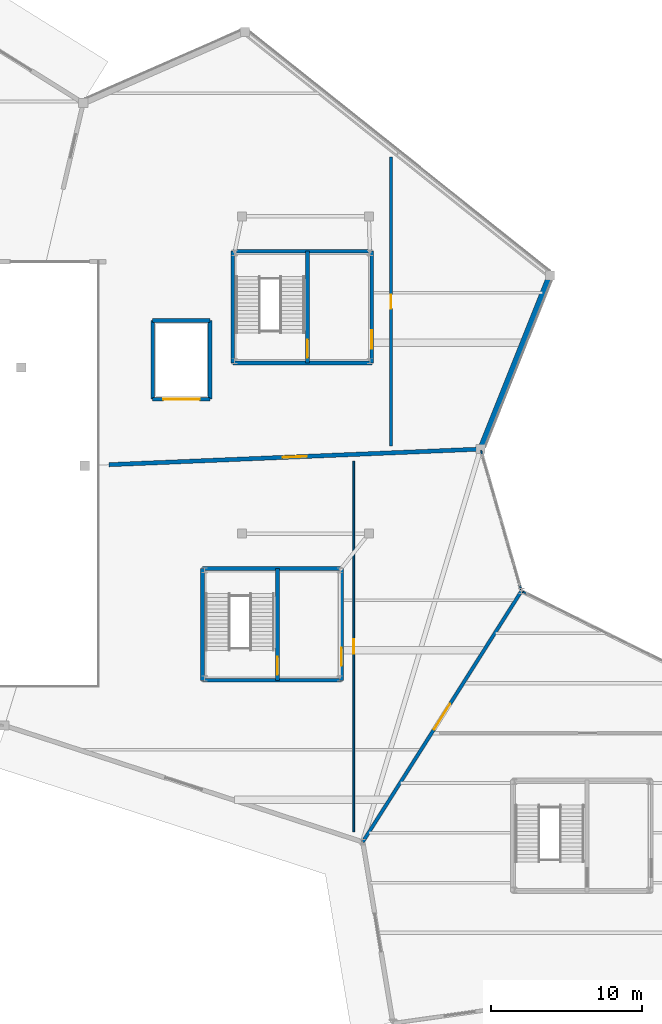
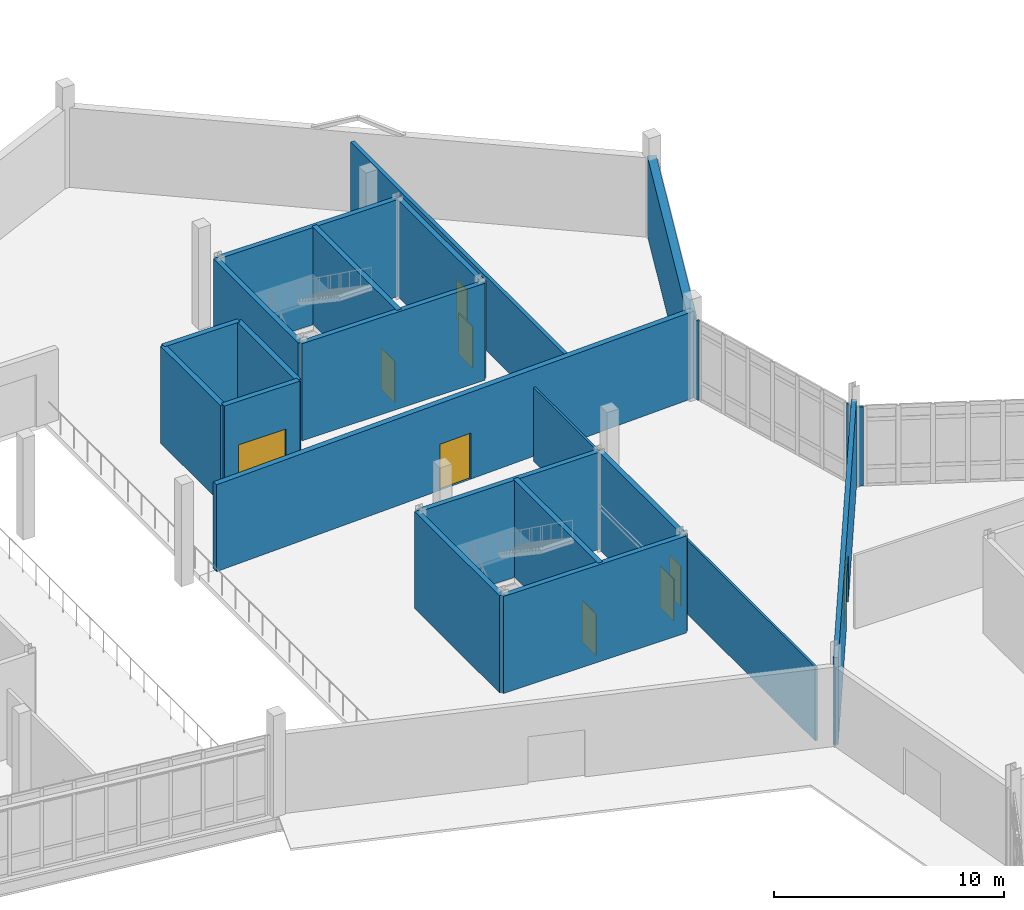
# One storey, part 93 of 113: 22 walls, 9 doors, 9 openings.
"""IFC4 building model written with IfcOpenShell, lengths in metres."""

from ifc_helpers import new_model, si_unit, direction, frame, frame_2d, origin, place, context, subcontext, project, spatial, rectangle, extrude, material, layer, layer_set, type_object, element, fill, save


model = new_model("IFC4")

# Units and contexts
model_context = context("Model", 3, precision=1e-05, world=origin(), true_north=direction((0.0, 1.0)))
body_context = subcontext(model_context, "Body", "Model", "MODEL_VIEW")
ifc_project = project(units=[si_unit("LENGTHUNIT", "METRE"), si_unit("AREAUNIT", "SQUARE_METRE"), si_unit("VOLUMEUNIT", "CUBIC_METRE"), si_unit("PLANEANGLEUNIT", "RADIAN"), si_unit("MASSUNIT", "GRAM", prefix="KILO")], contexts=[model_context])

# Site, building, storey
site_placement = place(None, origin())
site = spatial("IfcSite", under=ifc_project, at=site_placement, CompositionType="ELEMENT")
building_placement = place(site_placement, origin())
building = spatial("IfcBuilding", under=site, at=building_placement, Name="Tameran Prism Museum", CompositionType="ELEMENT")
storey_placement = place(building_placement, origin())
storey = spatial("IfcBuildingStorey", under=building, at=storey_placement, Name="L00", CompositionType="ELEMENT", Elevation=0.0)

# Walls
ifc_material_1 = material(Name="Precast Concrete N50 (50 MPa)", Category="concrete")
ifc_layer_1 = layer(ifc_material_1, 0.39990234375)
ifc_layer_set_1 = layer_set([ifc_layer_1])
wall_type_1 = type_object("IfcWallType", Name="EW-ARC-400", PredefinedType="SOLIDWALL", material=ifc_layer_set_1)
wall_1_placement = place(storey_placement, frame((62.39990234375, 94.10009765625, 0.0), z_axis=(0.0, 0.0, 1.0), x_axis=(-0.371407751599, -0.928469860605, 0.0)))
element("IfcWall", 1, at=wall_1_placement, inside=storey, type_object=wall_type_1, Name="Exterior Fluted Precast Wall EW-0146", PredefinedType="SOLIDWALL", context=body_context, shape_type="SweptSolid", body=[
    extrude(rectangle(XDim=12.32568359375, YDim=0.39990234375, at=frame_2d((6.162841796875, 0.0))), origin(), (0.0, 0.0, 1.0), 4.219970703125),
])
ifc_material_2 = material(Name="Precast Concrete N40 (40 MPa)", Category="concrete")
ifc_layer_2 = layer(ifc_material_2, 0.094970703125)
ifc_layer_set_2 = layer_set([ifc_layer_2])
wall_type_2 = type_object("IfcWallType", Name="EW-CLOS-095", PredefinedType="SOLIDWALL", material=ifc_layer_set_2)
wall_2_placement = place(storey_placement, frame((60.592041015625, 73.154052734375, 0.0), z_axis=(0.0, 0.0, 1.0), x_axis=(0.895062210154, -0.445941296533, 0.0)))
element("IfcWall", 2, at=wall_2_placement, inside=storey, type_object=wall_type_2, Name="Facade Corner Closure EW-0102", PredefinedType="SOLIDWALL", context=body_context, shape_type="SweptSolid", body=[
    extrude(rectangle(XDim=0.30712890625, YDim=0.094970703125, at=frame_2d((0.153564453125, 0.0))), origin(), (0.0, 0.0, 1.0), 4.219970703125),
])
for number, where, z_axis, x_axis, name in (
    (3, (57.8291015625, 82.501953125, 0.0), (0.0, 0.0, 1.0), (0.275977786159, -0.961164013864, 0.0), "Facade Corner Closure EW-0143"),
    (4, (60.385986328125, 73.593994140625, 0.0), (0.0, 0.0, 1.0), (0.275977786159, -0.961164013864, 0.0), "Facade Corner Closure EW-0144"),
):
    element("IfcWall", number, at=place(storey_placement, frame(where, z_axis=z_axis, x_axis=x_axis)), inside=storey, type_object=wall_type_2, Name=name, PredefinedType="SOLIDWALL", context=body_context, shape_type="SweptSolid", body=[
        extrude(rectangle(XDim=0.307861328125, YDim=0.094970703125, at=frame_2d((0.15380859375, 0.0))), origin(), (0.0, 0.0, 1.0), 4.219970703125),
    ])

# Wall, opening, door
ifc_material_3 = material(Name="Concrete N40 (40 MPa)", Category="concrete")
ifc_layer_3 = layer(ifc_material_3, 0.22509765625)
ifc_layer_set_3 = layer_set([ifc_layer_3])
wall_type_3 = type_object("IfcWallType", Name="IW-CMP-225", PredefinedType="SOLIDWALL", material=ifc_layer_set_3)
wall_3_placement = place(storey_placement, frame((60.5, 73.199951171875, 0.0), z_axis=(0.0, 0.0, 1.0), x_axis=(-0.534570878454, -0.845123645338, 0.0)))
wall_3 = element("IfcWall", 5, at=wall_3_placement, inside=storey, type_object=wall_type_3, Name="Compartment Wall IW-0038", PredefinedType="SOLIDWALL", context=body_context, shape_type="SweptSolid", body=[
    extrude(rectangle(XDim=19.641845703125, YDim=0.22509765625, at=frame_2d((9.82080078125, 0.0))), origin(), (0.0, 0.0, 1.0), 4.6201171875),
])
opening_1_placement = place(wall_3_placement, frame((8.821044921875, 0.0, 0.0)))
opening_1 = element("IfcOpeningElement", 6, at=opening_1_placement, cuts=wall_3, Name="Opening ID-0037", PredefinedType="OPENING", context=body_context, shape_type="SweptSolid", body=[
    extrude(rectangle(XDim=2.0, YDim=2.5, at=frame_2d((1.0, 1.25))), frame((0.0, 0.12255859375, 0.0), z_axis=(0.0, -1.0, 0.0), x_axis=(1.0, 0.0, 0.0)), (0.0, 0.0, 1.0), 0.2451171875),
])
ifc_material_4 = material(Name="Fire-Rated Steel Door Leaf and Frame", Category="steel")
door_type_1 = type_object("IfcDoorType", Name="DR-GAL-200", OperationType="DOUBLE_DOOR_SINGLE_SWING", PredefinedType="DOOR", material=ifc_material_4)
door_1_placement = place(opening_1_placement, origin())
door_1 = element("IfcDoor", 7, at=door_1_placement, inside=storey, type_object=door_type_1, Name="Compartment Door ID-0037", OperationType="DOUBLE_DOOR_SINGLE_SWING", OverallHeight=2.5, OverallWidth=2.0, PredefinedType="DOOR", context=body_context, shape_type="SweptSolid", body=[
    extrude(rectangle(XDim=2.0, YDim=2.5, at=frame_2d((1.0, 1.25))), frame((0.0, 0.02490234375, 0.0), z_axis=(0.0, -1.0, 0.0), x_axis=(1.0, 0.0, 0.0)), (0.0, 0.0, 1.0), 0.050048828125),
])
fill(opening_1, door_1)

ifc_material_5 = material(Name="Concrete N40 (40 MPa)", Category="concrete")
ifc_layer_4 = layer(ifc_material_5, 0.27490234375)
ifc_layer_set_4 = layer_set([ifc_layer_4])
wall_type_4 = type_object("IfcWallType", Name="IW-CMP-275", PredefinedType="SOLIDWALL", material=ifc_layer_set_4)
wall_4_placement = place(storey_placement, frame((57.800048828125, 82.60009765625, 0.0), z_axis=(0.0, 0.0, 1.0), x_axis=(-0.999119166836, -0.041962965345, 0.0)))
wall_4 = element("IfcWall", 8, at=wall_4_placement, inside=storey, type_object=wall_type_4, Name="Compartment Wall IW-0046", PredefinedType="SOLIDWALL", context=body_context, shape_type="SweptSolid", body=[
    extrude(rectangle(XDim=24.621826171875, YDim=0.27490234375, at=frame_2d((12.31103515625, 0.0))), origin(), (0.0, 0.0, 1.0), 4.6201171875),
])
opening_2_placement = place(wall_4_placement, frame((11.510986328125, 0.0, 0.0)))
opening_2 = element("IfcOpeningElement", 9, at=opening_2_placement, cuts=wall_4, Name="Opening ID-0045", PredefinedType="OPENING", context=body_context, shape_type="SweptSolid", body=[
    extrude(rectangle(XDim=1.60009765625, YDim=2.449951171875, at=frame_2d((0.800048828125, 1.22509765625))), frame((0.0, 0.1474609375, 0.0), z_axis=(0.0, -1.0, 0.0), x_axis=(1.0, 0.0, 0.0)), (0.0, 0.0, 1.0), 0.294921875),
])
ifc_material_6 = material(Name="Fire-Rated Steel Door Leaf and Frame", Category="steel")
door_type_2 = type_object("IfcDoorType", Name="DR-FD-240", OperationType="DOUBLE_DOOR_SINGLE_SWING", PredefinedType="DOOR", material=ifc_material_6)
door_2_placement = place(opening_2_placement, origin())
door_2 = element("IfcDoor", 10, at=door_2_placement, inside=storey, type_object=door_type_2, Name="Compartment Door ID-0045", OperationType="DOUBLE_DOOR_SINGLE_SWING", OverallHeight=2.449951171875, OverallWidth=1.60009765625, PredefinedType="DOOR", context=body_context, shape_type="SweptSolid", body=[
    extrude(rectangle(XDim=1.60009765625, YDim=2.449951171875, at=frame_2d((0.800048828125, 1.22509765625))), frame((0.0, 0.02490234375, 0.0), z_axis=(0.0, -1.0, 0.0), x_axis=(1.0, 0.0, 0.0)), (0.0, 0.0, 1.0), 0.050048828125),
])
fill(opening_2, door_2)

# Walls
ifc_material_7 = material(Name="Concrete N40 (40 MPa)", Category="concrete")
ifc_layer_5 = layer(ifc_material_7, 0.25)
ifc_layer_set_5 = layer_set([ifc_layer_5])
wall_type_5 = type_object("IfcWallType", Name="IW-COR-250", PredefinedType="SHEAR", material=ifc_layer_set_5)
wall_5_placement = place(storey_placement, frame((39.39990234375, 67.300048828125, 0.0), z_axis=(0.0, 0.0, 1.0), x_axis=(0.0, 1.0, 0.0)))
element("IfcWall", 11, at=wall_5_placement, inside=storey, type_object=wall_type_5, Name="Core Shear Wall CW-5-L00-W", PredefinedType="SHEAR", context=body_context, shape_type="SweptSolid", body=[
    extrude(rectangle(XDim=7.39990234375, YDim=0.25, at=frame_2d((3.699951171875, 0.0))), origin(), (0.0, 0.0, 1.0), 5.159912109375),
])
for number, where, z_axis, x_axis, name in (
    (12, (39.39990234375, 74.699951171875, 0.0), (0.0, 0.0, 1.0), (1.0, 0.0, 0.0), "Core Shear Wall CW-5-L00-N"),
    (13, (48.60009765625, 67.300048828125, 0.0), (0.0, 0.0, 1.0), (-1.0, 0.0, 0.0), "Core Shear Wall CW-5-L00-S"),
):
    element("IfcWall", number, at=place(storey_placement, frame(where, z_axis=z_axis, x_axis=x_axis)), inside=storey, type_object=wall_type_5, Name=name, PredefinedType="SHEAR", context=body_context, shape_type="SweptSolid", body=[
        extrude(rectangle(XDim=9.2001953125, YDim=0.25, at=frame_2d((4.60009765625, 0.0))), origin(), (0.0, 0.0, 1.0), 5.159912109375),
    ])

# Wall, opening, door
wall_6_placement = place(storey_placement, frame((48.60009765625, 74.699951171875, 0.0), z_axis=(0.0, 0.0, 1.0), x_axis=(0.0, -1.0, 0.0)))
wall_6 = element("IfcWall", 14, at=wall_6_placement, inside=storey, type_object=wall_type_5, Name="Core Shear Wall CW-5-L00-E", PredefinedType="SHEAR", context=body_context, shape_type="SweptSolid", body=[
    extrude(rectangle(XDim=7.39990234375, YDim=0.25, at=frame_2d((3.699951171875, 0.0))), origin(), (0.0, 0.0, 1.0), 5.159912109375),
])
opening_3_placement = place(wall_6_placement, frame((5.25, 0.0, 0.0)))
opening_3 = element("IfcOpeningElement", 15, at=opening_3_placement, cuts=wall_6, Name="Opening FD-0245", PredefinedType="OPENING", context=body_context, shape_type="SweptSolid", body=[
    extrude(rectangle(XDim=1.199951171875, YDim=2.199951171875, at=frame_2d((0.60009765625, 1.10009765625))), frame((0.0, 0.135009765625, 0.0), z_axis=(0.0, -1.0, 0.0), x_axis=(1.0, 0.0, 0.0)), (0.0, 0.0, 1.0), 0.27001953125),
])
ifc_material_8 = material(Name="Fire-Rated Steel Door Leaf and Frame", Category="steel")
door_type_3 = type_object("IfcDoorType", Name="DR-FD-120A", OperationType="NOTDEFINED", PredefinedType="DOOR", material=ifc_material_8)
door_3_placement = place(opening_3_placement, origin())
door_3 = element("IfcDoor", 16, at=door_3_placement, inside=storey, type_object=door_type_3, Name="Core Fire Door FD-0245", OperationType="SINGLE_SWING_LEFT", OverallHeight=2.199951171875, OverallWidth=1.199951171875, PredefinedType="DOOR", context=body_context, shape_type="SweptSolid", body=[
    extrude(rectangle(XDim=1.199951171875, YDim=2.199951171875, at=frame_2d((0.60009765625, 1.10009765625))), frame((0.0, 0.02490234375, 0.0), z_axis=(0.0, -1.0, 0.0), x_axis=(1.0, 0.0, 0.0)), (0.0, 0.0, 1.0), 0.050048828125),
])
fill(opening_3, door_3)

wall_7_placement = place(storey_placement, frame((44.35009765625, 74.699951171875, 0.0), z_axis=(0.0, 0.0, 1.0), x_axis=(0.0, -1.0, 0.0)))
wall_7 = element("IfcWall", 17, at=wall_7_placement, inside=storey, type_object=wall_type_5, Name="Core Shear Wall CW-5-L00-M", PredefinedType="SHEAR", context=body_context, shape_type="SweptSolid", body=[
    extrude(rectangle(XDim=7.39990234375, YDim=0.25, at=frame_2d((3.699951171875, 0.0))), origin(), (0.0, 0.0, 1.0), 5.159912109375),
])
opening_4_placement = place(wall_7_placement, frame((5.85009765625, 0.0, 0.0)))
opening_4 = element("IfcOpeningElement", 18, at=opening_4_placement, cuts=wall_7, Name="Opening FD-0246", PredefinedType="OPENING", context=body_context, shape_type="SweptSolid", body=[
    extrude(rectangle(XDim=1.199951171875, YDim=2.199951171875, at=frame_2d((0.60009765625, 1.10009765625))), frame((0.0, 0.135009765625, 0.0), z_axis=(0.0, -1.0, 0.0), x_axis=(1.0, 0.0, 0.0)), (0.0, 0.0, 1.0), 0.27001953125),
])
door_4_placement = place(opening_4_placement, origin())
door_4 = element("IfcDoor", 19, at=door_4_placement, inside=storey, type_object=door_type_3, Name="Core Fire Door FD-0246", OperationType="SINGLE_SWING_RIGHT", OverallHeight=2.199951171875, OverallWidth=1.199951171875, PredefinedType="DOOR", context=body_context, shape_type="SweptSolid", body=[
    extrude(rectangle(XDim=1.199951171875, YDim=2.199951171875, at=frame_2d((0.60009765625, 1.10009765625))), frame((0.0, 0.02490234375, 0.0), z_axis=(0.0, -1.0, 0.0), x_axis=(1.0, 0.0, 0.0)), (0.0, 0.0, 1.0), 0.050048828125),
])
fill(opening_4, door_4)

# Walls
wall_8_placement = place(storey_placement, frame((41.39990234375, 88.300048828125, 0.0), z_axis=(0.0, 0.0, 1.0), x_axis=(0.0, 1.0, 0.0)))
element("IfcWall", 20, at=wall_8_placement, inside=storey, type_object=wall_type_5, Name="Core Shear Wall CW-14-L00-W", PredefinedType="SHEAR", context=body_context, shape_type="SweptSolid", body=[
    extrude(rectangle(XDim=7.39990234375, YDim=0.25, at=frame_2d((3.699951171875, 0.0))), origin(), (0.0, 0.0, 1.0), 5.159912109375),
])
for number, where, z_axis, x_axis, name in (
    (21, (41.39990234375, 95.699951171875, 0.0), (0.0, 0.0, 1.0), (1.0, 0.0, 0.0), "Core Shear Wall CW-14-L00-N"),
    (22, (50.60009765625, 88.300048828125, 0.0), (0.0, 0.0, 1.0), (-1.0, 0.0, 0.0), "Core Shear Wall CW-14-L00-S"),
):
    element("IfcWall", number, at=place(storey_placement, frame(where, z_axis=z_axis, x_axis=x_axis)), inside=storey, type_object=wall_type_5, Name=name, PredefinedType="SHEAR", context=body_context, shape_type="SweptSolid", body=[
        extrude(rectangle(XDim=9.2001953125, YDim=0.25, at=frame_2d((4.60009765625, 0.0))), origin(), (0.0, 0.0, 1.0), 5.159912109375),
    ])

# Wall, opening, door
wall_9_placement = place(storey_placement, frame((50.60009765625, 95.699951171875, 0.0), z_axis=(0.0, 0.0, 1.0), x_axis=(0.0, -1.0, 0.0)))
wall_9 = element("IfcWall", 23, at=wall_9_placement, inside=storey, type_object=wall_type_5, Name="Core Shear Wall CW-14-L00-E", PredefinedType="SHEAR", context=body_context, shape_type="SweptSolid", body=[
    extrude(rectangle(XDim=7.39990234375, YDim=0.25, at=frame_2d((3.699951171875, 0.0))), origin(), (0.0, 0.0, 1.0), 5.159912109375),
])
opening_5_placement = place(wall_9_placement, frame((5.25, 0.0, 0.0)))
opening_5 = element("IfcOpeningElement", 24, at=opening_5_placement, cuts=wall_9, Name="Opening FD-0289", PredefinedType="OPENING", context=body_context, shape_type="SweptSolid", body=[
    extrude(rectangle(XDim=1.199951171875, YDim=2.199951171875, at=frame_2d((0.60009765625, 1.10009765625))), frame((0.0, 0.135009765625, 0.0), z_axis=(0.0, -1.0, 0.0), x_axis=(1.0, 0.0, 0.0)), (0.0, 0.0, 1.0), 0.27001953125),
])
door_5_placement = place(opening_5_placement, origin())
door_5 = element("IfcDoor", 25, at=door_5_placement, inside=storey, type_object=door_type_3, Name="Core Fire Door FD-0289", OperationType="SINGLE_SWING_LEFT", OverallHeight=2.199951171875, OverallWidth=1.199951171875, PredefinedType="DOOR", context=body_context, shape_type="SweptSolid", body=[
    extrude(rectangle(XDim=1.199951171875, YDim=2.199951171875, at=frame_2d((0.60009765625, 1.10009765625))), frame((0.0, 0.02490234375, 0.0), z_axis=(0.0, -1.0, 0.0), x_axis=(1.0, 0.0, 0.0)), (0.0, 0.0, 1.0), 0.050048828125),
])
fill(opening_5, door_5)

wall_10_placement = place(storey_placement, frame((46.35009765625, 95.699951171875, 0.0), z_axis=(0.0, 0.0, 1.0), x_axis=(0.0, -1.0, 0.0)))
wall_10 = element("IfcWall", 26, at=wall_10_placement, inside=storey, type_object=wall_type_5, Name="Core Shear Wall CW-14-L00-M", PredefinedType="SHEAR", context=body_context, shape_type="SweptSolid", body=[
    extrude(rectangle(XDim=7.39990234375, YDim=0.25, at=frame_2d((3.699951171875, 0.0))), origin(), (0.0, 0.0, 1.0), 5.159912109375),
])
opening_6_placement = place(wall_10_placement, frame((5.85009765625, 0.0, 0.0)))
opening_6 = element("IfcOpeningElement", 27, at=opening_6_placement, cuts=wall_10, Name="Opening FD-0290", PredefinedType="OPENING", context=body_context, shape_type="SweptSolid", body=[
    extrude(rectangle(XDim=1.199951171875, YDim=2.199951171875, at=frame_2d((0.60009765625, 1.10009765625))), frame((0.0, 0.135009765625, 0.0), z_axis=(0.0, -1.0, 0.0), x_axis=(1.0, 0.0, 0.0)), (0.0, 0.0, 1.0), 0.27001953125),
])
door_6_placement = place(opening_6_placement, origin())
door_6 = element("IfcDoor", 28, at=door_6_placement, inside=storey, type_object=door_type_3, Name="Core Fire Door FD-0290", OperationType="SINGLE_SWING_RIGHT", OverallHeight=2.199951171875, OverallWidth=1.199951171875, PredefinedType="DOOR", context=body_context, shape_type="SweptSolid", body=[
    extrude(rectangle(XDim=1.199951171875, YDim=2.199951171875, at=frame_2d((0.60009765625, 1.10009765625))), frame((0.0, 0.02490234375, 0.0), z_axis=(0.0, -1.0, 0.0), x_axis=(1.0, 0.0, 0.0)), (0.0, 0.0, 1.0), 0.050048828125),
])
fill(opening_6, door_6)

ifc_material_9 = material(Name="Store Lightweight Stud Partition")
ifc_layer_6 = layer(ifc_material_9, 0.110107421875)
ifc_layer_set_6 = layer_set([ifc_layer_6])
wall_type_6 = type_object("IfcWallType", Name="IW-PRT-110", PredefinedType="PARTITIONING", material=ifc_layer_set_6)
wall_11_placement = place(storey_placement, frame((49.403076171875, 57.26708984375, 0.0), z_axis=(0.0, 0.0, 1.0), x_axis=(0.0, 1.0, 0.0)))
wall_11 = element("IfcWall", 29, at=wall_11_placement, inside=storey, type_object=wall_type_6, Name="Internal Partition PT-0071", PredefinedType="PARTITIONING", context=body_context, shape_type="SweptSolid", body=[
    extrude(rectangle(XDim=24.530029296875, YDim=0.110107421875, at=frame_2d((12.26513671875, 0.0))), origin(), (0.0, 0.0, 1.0), 3.919921875),
])
opening_7_placement = place(wall_11_placement, frame((11.7900390625, 0.0, 0.0)))
opening_7 = element("IfcOpeningElement", 30, at=opening_7_placement, cuts=wall_11, Name="Opening ID-0070", PredefinedType="OPENING", context=body_context, shape_type="SweptSolid", body=[
    extrude(rectangle(XDim=0.949951171875, YDim=2.14990234375, at=frame_2d((0.47509765625, 1.074951171875))), frame((0.0, 0.06494140625, 0.0), z_axis=(0.0, -1.0, 0.0), x_axis=(1.0, 0.0, 0.0)), (0.0, 0.0, 1.0), 0.130126953125),
])
ifc_material_10 = material(Name="Acoustic Solid-Core Timber Door", Category="wood")
door_type_4 = type_object("IfcDoorType", Name="DR-INT-095", OperationType="NOTDEFINED", PredefinedType="DOOR", material=ifc_material_10)
door_7_placement = place(opening_7_placement, origin())
door_7 = element("IfcDoor", 31, at=door_7_placement, inside=storey, type_object=door_type_4, Name="Interior Room Door ID-0070", OperationType="SINGLE_SWING_LEFT", OverallHeight=2.14990234375, OverallWidth=0.949951171875, PredefinedType="DOOR", context=body_context, shape_type="SweptSolid", body=[
    extrude(rectangle(XDim=0.949951171875, YDim=2.14990234375, at=frame_2d((0.47509765625, 1.074951171875))), frame((0.0, 0.02490234375, 0.0), z_axis=(0.0, -1.0, 0.0), x_axis=(1.0, 0.0, 0.0)), (0.0, 0.0, 1.0), 0.050048828125),
])
fill(opening_7, door_7)

ifc_material_11 = material(Name="Acoustic Double Stud Plasterboard")
ifc_layer_7 = layer(ifc_material_11, 0.18505859375)
ifc_layer_set_7 = layer_set([ifc_layer_7])
wall_type_7 = type_object("IfcWallType", Name="IW-PRT-185", PredefinedType="PARTITIONING", material=ifc_layer_set_7)
wall_12_placement = place(storey_placement, frame((51.864013671875, 82.801025390625, 0.0), z_axis=(0.0, 0.0, 1.0), x_axis=(0.0, 1.0, 0.0)))
wall_12 = element("IfcWall", 32, at=wall_12_placement, inside=storey, type_object=wall_type_7, Name="Internal Partition PT-0072", PredefinedType="PARTITIONING", context=body_context, shape_type="SweptSolid", body=[
    extrude(rectangle(XDim=19.12109375, YDim=0.18505859375, at=frame_2d((9.560546875, 0.0))), origin(), (0.0, 0.0, 1.0), 3.919921875),
])
opening_8_placement = place(wall_12_placement, frame((9.10009765625, 0.0, 0.0)))
opening_8 = element("IfcOpeningElement", 33, at=opening_8_placement, cuts=wall_12, Name="Opening ID-0071", PredefinedType="OPENING", context=body_context, shape_type="SweptSolid", body=[
    extrude(rectangle(XDim=0.919921875, YDim=2.10009765625, at=frame_2d((0.4599609375, 1.050048828125))), frame((0.0, 0.1025390625, 0.0), z_axis=(0.0, -1.0, 0.0), x_axis=(1.0, 0.0, 0.0)), (0.0, 0.0, 1.0), 0.205078125),
])
ifc_material_12 = material(Name="Acoustic Solid-Core Timber Door", Category="wood")
door_type_5 = type_object("IfcDoorType", Name="DR-INT-092", OperationType="NOTDEFINED", PredefinedType="DOOR", material=ifc_material_12)
door_8_placement = place(opening_8_placement, origin())
door_8 = element("IfcDoor", 34, at=door_8_placement, inside=storey, type_object=door_type_5, Name="Interior Room Door ID-0071", OperationType="SINGLE_SWING_RIGHT", OverallHeight=2.10009765625, OverallWidth=0.919921875, PredefinedType="DOOR", context=body_context, shape_type="SweptSolid", body=[
    extrude(rectangle(XDim=0.919921875, YDim=2.10009765625, at=frame_2d((0.4599609375, 1.050048828125))), frame((0.0, 0.02490234375, 0.0), z_axis=(0.0, -1.0, 0.0), x_axis=(1.0, 0.0, 0.0)), (0.0, 0.0, 1.0), 0.050048828125),
])
fill(opening_8, door_8)

# Walls
ifc_material_13 = material(Name="Concrete N50 (50 MPa)", Category="concrete")
ifc_layer_8 = layer(ifc_material_13, 0.260009765625)
ifc_layer_set_8 = layer_set([ifc_layer_8])
wall_type_8 = type_object("IfcWallType", Name="IW-SHF-260", PredefinedType="SHEAR", material=ifc_layer_set_8)
wall_13_placement = place(storey_placement, frame((36.10009765625, 91.10009765625, 0.0), z_axis=(0.0, 0.0, 1.0), x_axis=(1.0, 0.0, 0.0)))
element("IfcWall", 35, at=wall_13_placement, inside=storey, type_object=wall_type_8, Name="Lift Shaft Wall LW-GL01-L00N", PredefinedType="SHEAR", context=body_context, shape_type="SweptSolid", body=[
    extrude(rectangle(XDim=3.7998046875, YDim=0.260009765625, at=frame_2d((1.89990234375, 0.0))), origin(), (0.0, 0.0, 1.0), 5.159912109375),
])
for number, where, z_axis, x_axis, name in (
    (36, (39.89990234375, 91.10009765625, 0.0), (0.0, 0.0, 1.0), (0.0, -1.0, 0.0), "Lift Shaft Wall LW-GL01-L00E"),
    (37, (36.10009765625, 85.89990234375, 0.0), (0.0, 0.0, 1.0), (0.0, 1.0, 0.0), "Lift Shaft Wall LW-GL01-L00W"),
):
    element("IfcWall", number, at=place(storey_placement, frame(where, z_axis=z_axis, x_axis=x_axis)), inside=storey, type_object=wall_type_8, Name=name, PredefinedType="SHEAR", context=body_context, shape_type="SweptSolid", body=[
        extrude(rectangle(XDim=5.2001953125, YDim=0.260009765625, at=frame_2d((2.60009765625, 0.0))), origin(), (0.0, 0.0, 1.0), 5.159912109375),
    ])

# Wall, opening, door
wall_14_placement = place(storey_placement, frame((39.89990234375, 85.89990234375, 0.0), z_axis=(0.0, 0.0, 1.0), x_axis=(-1.0, 0.0, 0.0)))
wall_14 = element("IfcWall", 38, at=wall_14_placement, inside=storey, type_object=wall_type_8, Name="Lift Shaft Wall LW-GL01-L00S", PredefinedType="SHEAR", context=body_context, shape_type="SweptSolid", body=[
    extrude(rectangle(XDim=3.7998046875, YDim=0.260009765625, at=frame_2d((1.89990234375, 0.0))), origin(), (0.0, 0.0, 1.0), 5.159912109375),
])
opening_9_placement = place(wall_14_placement, frame((0.699951171875, 0.0, 0.0)))
opening_9 = element("IfcOpeningElement", 39, at=opening_9_placement, cuts=wall_14, Name="Opening LD-GL01-L00", PredefinedType="OPENING", context=body_context, shape_type="SweptSolid", body=[
    extrude(rectangle(XDim=2.39990234375, YDim=2.85009765625, at=frame_2d((1.199951171875, 1.425048828125))), frame((0.0, 0.139892578125, 0.0), z_axis=(0.0, -1.0, 0.0), x_axis=(1.0, 0.0, 0.0)), (0.0, 0.0, 1.0), 0.280029296875),
])
ifc_material_14 = material(Name="Fire-Rated Steel Door Leaf and Frame", Category="steel")
door_type_6 = type_object("IfcDoorType", Name="DR-LD-GL", OperationType="SLIDING_TO_LEFT", PredefinedType="DOOR", material=ifc_material_14)
door_9_placement = place(opening_9_placement, origin())
door_9 = element("IfcDoor", 40, at=door_9_placement, inside=storey, type_object=door_type_6, Name="Goods Lift GL-01 Landing Door L00", OperationType="SLIDING_TO_LEFT", OverallHeight=2.85009765625, OverallWidth=2.39990234375, PredefinedType="DOOR", context=body_context, shape_type="SweptSolid", body=[
    extrude(rectangle(XDim=2.39990234375, YDim=2.85009765625, at=frame_2d((1.199951171875, 1.425048828125))), frame((0.0, 0.02490234375, 0.0), z_axis=(0.0, -1.0, 0.0), x_axis=(1.0, 0.0, 0.0)), (0.0, 0.0, 1.0), 0.050048828125),
])
fill(opening_9, door_9)

save(model, "model.ifc")
